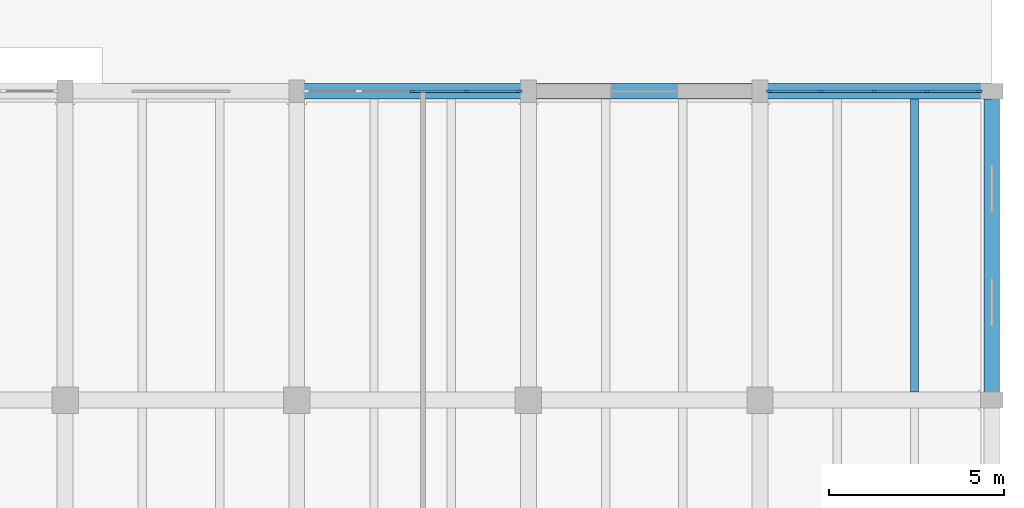
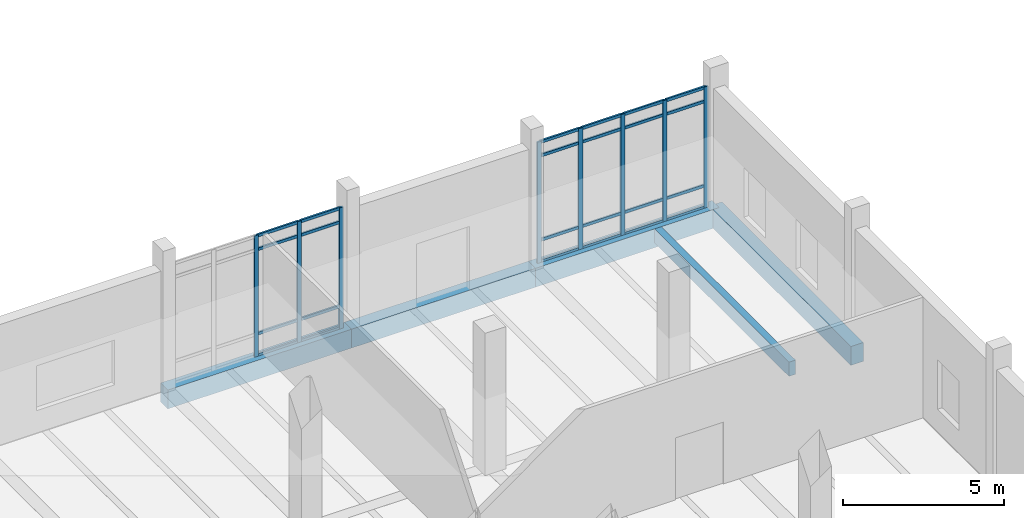
# One storey, part 26 of 72: 32 members, 5 beams, 2 elements without a shape of their own.
"""IFC4 building model written with IfcOpenShell, lengths in metres."""

from ifc_helpers import new_model, si_unit, direction, frame, origin, origin_2d, place, context, subcontext, project, spatial, rectangle, extrude, material, material_profile, profile_set, type_object, element, aggregate, save


model = new_model("IFC4")

# Units and contexts
model_context = context("Model", 3, precision=1e-05, world=origin(), true_north=direction((0.0, 1.0)))
body_context = subcontext(model_context, "Body", "Model", "MODEL_VIEW")
ifc_project = project(units=[si_unit("LENGTHUNIT", "METRE"), si_unit("AREAUNIT", "SQUARE_METRE"), si_unit("VOLUMEUNIT", "CUBIC_METRE"), si_unit("PLANEANGLEUNIT", "RADIAN"), si_unit("MASSUNIT", "GRAM", prefix="KILO")], contexts=[model_context])

# Site, building, storey
site_placement = place(None, origin())
site = spatial("IfcSite", under=ifc_project, at=site_placement, CompositionType="ELEMENT")
building_placement = place(site_placement, origin())
building = spatial("IfcBuilding", under=site, at=building_placement, Name="Dornvale Research Institute", CompositionType="ELEMENT")
storey_placement = place(building_placement, origin())
storey = spatial("IfcBuildingStorey", under=building, at=storey_placement, Name="L00", CompositionType="ELEMENT", Elevation=0.0)

# Beams
ifc_material_1 = material(Name="Concrete f'c 45 MPa (C35/45)", Category="concrete")
ifc_material_profile_1 = material_profile(ifc_material_1, rectangle(XDim=0.449951171875, YDim=0.715087890625, at=origin_2d()), Name="RC 450x715")
ifc_profile_set_1 = profile_set([ifc_material_profile_1], Name="Concrete f'c 45 MPa (C35/45)")
beam_type_1 = type_object("IfcBeamType", Name="Beam_RC450x715_Lab", PredefinedType="BEAM", material=ifc_profile_set_1)
for number, where, z_axis, x_axis, name in (
    (1, (158.39990234375, 26.39990234375, -0.357421875), (1.0, 0.0, 0.0), (0.0, 1.0, 0.0), "L00 primary girder #176"),
    (2, (165.0, 26.39990234375, -0.357421875), (1.0, 0.0, 0.0), (0.0, 1.0, 0.0), "L00 primary girder #177"),
):
    element("IfcBeam", number, at=place(storey_placement, frame(where, z_axis=z_axis, x_axis=x_axis)), inside=storey, type_object=beam_type_1, Name=name, PredefinedType="BEAM", context=body_context, shape_type="SweptSolid", body=[
        extrude(rectangle(XDim=0.449951171875, YDim=0.715087890625, at=origin_2d()), origin(), (0.0, 0.0, 1.0), 6.60009765625),
    ])
beam_1_placement = place(storey_placement, frame((171.60009765625, 26.39990234375, -0.357421875), z_axis=(1.0, 0.0, 0.0), x_axis=(0.0, 1.0, 0.0)))
element("IfcBeam", 3, at=beam_1_placement, inside=storey, type_object=beam_type_1, Name="L00 primary girder #178", PredefinedType="BEAM", context=body_context, shape_type="SweptSolid", body=[
    extrude(rectangle(XDim=0.449951171875, YDim=0.715087890625, at=origin_2d()), origin(), (0.0, 0.0, 1.0), 6.599853515625),
])
beam_2_placement = place(storey_placement, frame((178.199951171875, 17.60009765625, -0.357421875), z_axis=(0.0, 1.0, 0.0), x_axis=(-1.0, 0.0, 0.0)))
element("IfcBeam", 4, at=beam_2_placement, inside=storey, type_object=beam_type_1, Name="L00 transverse girder #215", PredefinedType="BEAM", context=body_context, shape_type="SweptSolid", body=[
    extrude(rectangle(XDim=0.449951171875, YDim=0.715087890625, at=origin_2d()), origin(), (0.0, 0.0, 1.0), 8.7998046875),
])
ifc_material_2 = material(Name="Concrete f'c 45 MPa (C35/45)", Category="concrete")
ifc_material_profile_2 = material_profile(ifc_material_2, rectangle(XDim=0.239990234375, YDim=0.534912109375, at=origin_2d()), Name="RC 240x535")
ifc_profile_set_2 = profile_set([ifc_material_profile_2], Name="Concrete f'c 45 MPa (C35/45)")
beam_type_2 = type_object("IfcBeamType", Name="Joist_RC240x535_Waffle", PredefinedType="JOIST", material=ifc_profile_set_2)
beam_3_placement = place(storey_placement, frame((176.0, 17.824951171875, -0.267578125), z_axis=(0.0, 1.0, 0.0), x_axis=(-1.0, 0.0, 0.0)))
element("IfcBeam", 5, at=beam_3_placement, inside=storey, type_object=beam_type_2, Name="L00 laboratory waffle joist #138", PredefinedType="JOIST", context=body_context, shape_type="SweptSolid", body=[
    extrude(rectangle(XDim=0.239990234375, YDim=0.534912109375, at=origin_2d()), origin(), (0.0, 0.0, 1.0), 8.35009765625),
])

# Curtain wall, members
ifc_material_3 = material(Name="Low-E Argon Double Insulating Glazing Unit", Category="glass")
curtain_wall_type_1 = type_object("IfcCurtainWallType", Name="UnitisedCurtainWall_V3_6150x4600", PredefinedType="USERDEFINED", material=ifc_material_3)
curtain_wall_1_placement = place(storey_placement, origin())
curtain_wall_1 = element("IfcCurtainWall", 6, at=curtain_wall_1_placement, inside=storey, type_object=curtain_wall_type_1, Name="L00 V3 unitised curtain wall CW-04 #23", ObjectType="UNITISED CURTAIN WALL", PredefinedType="USERDEFINED")
ifc_material_4 = material(Name="Anodized Aluminum AA 6063-T6 Thermally Broken Frame", Category="aluminium")
ifc_material_profile_3 = material_profile(ifc_material_4, rectangle(XDim=0.06494140625, YDim=0.14990234375, at=origin_2d()), Name="ALU MULLION 65x150")
ifc_profile_set_3 = profile_set([ifc_material_profile_3], Name="Anodized Aluminum AA 6063-T6 Thermally Broken Frame")
member_type_1 = type_object("IfcMemberType", Name="Mullion_CW_65x150", PredefinedType="MULLION", material=ifc_profile_set_3)
member_1_placement = place(storey_placement, frame((161.699951171875, 26.39990234375, 0.0), z_axis=(0.0, 0.0, 1.0), x_axis=(0.0, 1.0, 0.0)))
member_1 = element("IfcMember", 7, at=member_1_placement, type_object=member_type_1, Name="CW-04 mullion 3", PredefinedType="MULLION", context=body_context, shape_type="SweptSolid", body=[
    extrude(rectangle(XDim=0.06494140625, YDim=0.14990234375, at=origin_2d()), origin(), (0.0, 0.0, 1.0), 4.60009765625),
])
member_2_placement = place(storey_placement, frame((163.237548828125, 26.39990234375, 0.0), z_axis=(0.0, 0.0, 1.0), x_axis=(0.0, 1.0, 0.0)))
member_2 = element("IfcMember", 8, at=member_2_placement, type_object=member_type_1, Name="CW-04 mullion 4", PredefinedType="MULLION", context=body_context, shape_type="SweptSolid", body=[
    extrude(rectangle(XDim=0.06494140625, YDim=0.14990234375, at=origin_2d()), origin(), (0.0, 0.0, 1.0), 4.60009765625),
])
member_3_placement = place(storey_placement, frame((164.742431640625, 26.39990234375, 0.0), z_axis=(0.0, 0.0, 1.0), x_axis=(0.0, 1.0, 0.0)))
member_3 = element("IfcMember", 9, at=member_3_placement, type_object=member_type_1, Name="CW-04 mullion 5", PredefinedType="MULLION", context=body_context, shape_type="SweptSolid", body=[
    extrude(rectangle(XDim=0.06494140625, YDim=0.14990234375, at=origin_2d()), origin(), (0.0, 0.0, 1.0), 4.60009765625),
])

ifc_material_5 = material(Name="Low-E Argon Double Insulating Glazing Unit", Category="glass")
curtain_wall_type_2 = type_object("IfcCurtainWallType", Name="UnitisedCurtainWall_V3_6050x4600", PredefinedType="USERDEFINED", material=ifc_material_5)
curtain_wall_2_placement = place(storey_placement, origin())
curtain_wall_2 = element("IfcCurtainWall", 10, at=curtain_wall_2_placement, inside=storey, type_object=curtain_wall_type_2, Name="L00 V3 unitised curtain wall CW-05 #24", ObjectType="UNITISED CURTAIN WALL", PredefinedType="USERDEFINED")
member_4_placement = place(storey_placement, frame((171.857421875, 26.39990234375, 0.0), z_axis=(0.0, 0.0, 1.0), x_axis=(0.0, 1.0, 0.0)))
member_4 = element("IfcMember", 11, at=member_4_placement, type_object=member_type_1, Name="CW-05 mullion 1", PredefinedType="MULLION", context=body_context, shape_type="SweptSolid", body=[
    extrude(rectangle(XDim=0.06494140625, YDim=0.14990234375, at=origin_2d()), origin(), (0.0, 0.0, 1.0), 4.60009765625),
])
member_5_placement = place(storey_placement, frame((173.33740234375, 26.39990234375, 0.0), z_axis=(0.0, 0.0, 1.0), x_axis=(0.0, 1.0, 0.0)))
member_5 = element("IfcMember", 12, at=member_5_placement, type_object=member_type_1, Name="CW-05 mullion 2", PredefinedType="MULLION", context=body_context, shape_type="SweptSolid", body=[
    extrude(rectangle(XDim=0.06494140625, YDim=0.14990234375, at=origin_2d()), origin(), (0.0, 0.0, 1.0), 4.60009765625),
])
member_6_placement = place(storey_placement, frame((174.85009765625, 26.39990234375, 0.0), z_axis=(0.0, 0.0, 1.0), x_axis=(0.0, 1.0, 0.0)))
member_6 = element("IfcMember", 13, at=member_6_placement, type_object=member_type_1, Name="CW-05 mullion 3", PredefinedType="MULLION", context=body_context, shape_type="SweptSolid", body=[
    extrude(rectangle(XDim=0.06494140625, YDim=0.14990234375, at=origin_2d()), origin(), (0.0, 0.0, 1.0), 4.60009765625),
])
member_7_placement = place(storey_placement, frame((176.362548828125, 26.39990234375, 0.0), z_axis=(0.0, 0.0, 1.0), x_axis=(0.0, 1.0, 0.0)))
member_7 = element("IfcMember", 14, at=member_7_placement, type_object=member_type_1, Name="CW-05 mullion 4", PredefinedType="MULLION", context=body_context, shape_type="SweptSolid", body=[
    extrude(rectangle(XDim=0.06494140625, YDim=0.14990234375, at=origin_2d()), origin(), (0.0, 0.0, 1.0), 4.60009765625),
])
member_8_placement = place(storey_placement, frame((177.842529296875, 26.39990234375, 0.0), z_axis=(0.0, 0.0, 1.0), x_axis=(0.0, 1.0, 0.0)))
member_8 = element("IfcMember", 15, at=member_8_placement, type_object=member_type_1, Name="CW-05 mullion 5", PredefinedType="MULLION", context=body_context, shape_type="SweptSolid", body=[
    extrude(rectangle(XDim=0.06494140625, YDim=0.14990234375, at=origin_2d()), origin(), (0.0, 0.0, 1.0), 4.60009765625),
])

# Member
ifc_material_6 = material(Name="Anodized Aluminum AA 6063-T6 Thermally Broken Frame", Category="aluminium")
ifc_material_profile_4 = material_profile(ifc_material_6, rectangle(XDim=0.06494140625, YDim=0.110107421875, at=origin_2d()), Name="ALU TRANSOM 65x110")
ifc_profile_set_4 = profile_set([ifc_material_profile_4], Name="Anodized Aluminum AA 6063-T6 Thermally Broken Frame")
member_type_2 = type_object("IfcMemberType", Name="Transom_CW_65x110", PredefinedType="USERDEFINED", material=ifc_profile_set_4)
member_9_placement = place(storey_placement, frame((161.732421875, 26.39990234375, 0.032470703125), z_axis=(1.0, 0.0, 0.0), x_axis=(0.0, 1.0, 0.0)))
member_9 = element("IfcMember", 16, at=member_9_placement, type_object=member_type_2, Name="CW-04 transom 3.1", ObjectType="TRANSOM", PredefinedType="USERDEFINED", context=body_context, shape_type="SweptSolid", body=[
    extrude(rectangle(XDim=0.06494140625, YDim=0.110107421875, at=origin_2d()), origin(), (0.0, 0.0, 1.0), 1.47265625),
])

member_10_placement = place(storey_placement, frame((161.732421875, 26.39990234375, 0.85009765625), z_axis=(1.0, 0.0, 0.0), x_axis=(0.0, 1.0, 0.0)))
member_10 = element("IfcMember", 17, at=member_10_placement, type_object=member_type_2, Name="CW-04 transom 3.2", ObjectType="TRANSOM", PredefinedType="USERDEFINED", context=body_context, shape_type="SweptSolid", body=[
    extrude(rectangle(XDim=0.06494140625, YDim=0.110107421875, at=origin_2d()), origin(), (0.0, 0.0, 1.0), 1.47265625),
])

member_11_placement = place(storey_placement, frame((161.732421875, 26.39990234375, 4.050048828125), z_axis=(1.0, 0.0, 0.0), x_axis=(0.0, 1.0, 0.0)))
member_11 = element("IfcMember", 18, at=member_11_placement, type_object=member_type_2, Name="CW-04 transom 3.3", ObjectType="TRANSOM", PredefinedType="USERDEFINED", context=body_context, shape_type="SweptSolid", body=[
    extrude(rectangle(XDim=0.06494140625, YDim=0.110107421875, at=origin_2d()), origin(), (0.0, 0.0, 1.0), 1.47265625),
])

member_12_placement = place(storey_placement, frame((161.732421875, 26.39990234375, 4.5673828125), z_axis=(1.0, 0.0, 0.0), x_axis=(0.0, 1.0, 0.0)))
member_12 = element("IfcMember", 19, at=member_12_placement, type_object=member_type_2, Name="CW-04 transom 3.4", ObjectType="TRANSOM", PredefinedType="USERDEFINED", context=body_context, shape_type="SweptSolid", body=[
    extrude(rectangle(XDim=0.06494140625, YDim=0.110107421875, at=origin_2d()), origin(), (0.0, 0.0, 1.0), 1.47265625),
])

member_13_placement = place(storey_placement, frame((163.27001953125, 26.39990234375, 0.032470703125), z_axis=(1.0, 0.0, 0.0), x_axis=(0.0, 1.0, 0.0)))
member_13 = element("IfcMember", 20, at=member_13_placement, type_object=member_type_2, Name="CW-04 transom 4.1", ObjectType="TRANSOM", PredefinedType="USERDEFINED", context=body_context, shape_type="SweptSolid", body=[
    extrude(rectangle(XDim=0.06494140625, YDim=0.110107421875, at=origin_2d()), origin(), (0.0, 0.0, 1.0), 1.43994140625),
])

member_14_placement = place(storey_placement, frame((163.27001953125, 26.39990234375, 0.85009765625), z_axis=(1.0, 0.0, 0.0), x_axis=(0.0, 1.0, 0.0)))
member_14 = element("IfcMember", 21, at=member_14_placement, type_object=member_type_2, Name="CW-04 transom 4.2", ObjectType="TRANSOM", PredefinedType="USERDEFINED", context=body_context, shape_type="SweptSolid", body=[
    extrude(rectangle(XDim=0.06494140625, YDim=0.110107421875, at=origin_2d()), origin(), (0.0, 0.0, 1.0), 1.43994140625),
])

member_15_placement = place(storey_placement, frame((163.27001953125, 26.39990234375, 4.050048828125), z_axis=(1.0, 0.0, 0.0), x_axis=(0.0, 1.0, 0.0)))
member_15 = element("IfcMember", 22, at=member_15_placement, type_object=member_type_2, Name="CW-04 transom 4.3", ObjectType="TRANSOM", PredefinedType="USERDEFINED", context=body_context, shape_type="SweptSolid", body=[
    extrude(rectangle(XDim=0.06494140625, YDim=0.110107421875, at=origin_2d()), origin(), (0.0, 0.0, 1.0), 1.43994140625),
])

member_16_placement = place(storey_placement, frame((163.27001953125, 26.39990234375, 4.5673828125), z_axis=(1.0, 0.0, 0.0), x_axis=(0.0, 1.0, 0.0)))
member_16 = element("IfcMember", 23, at=member_16_placement, type_object=member_type_2, Name="CW-04 transom 4.4", ObjectType="TRANSOM", PredefinedType="USERDEFINED", context=body_context, shape_type="SweptSolid", body=[
    extrude(rectangle(XDim=0.06494140625, YDim=0.110107421875, at=origin_2d()), origin(), (0.0, 0.0, 1.0), 1.43994140625),
])

aggregate(curtain_wall_1, [member_1, member_2, member_3, member_9, member_10, member_11, member_12, member_13, member_14, member_15, member_16])

member_17_placement = place(storey_placement, frame((171.889892578125, 26.39990234375, 0.032470703125), z_axis=(1.0, 0.0, 0.0), x_axis=(0.0, 1.0, 0.0)))
member_17 = element("IfcMember", 24, at=member_17_placement, type_object=member_type_2, Name="CW-05 transom 1.1", ObjectType="TRANSOM", PredefinedType="USERDEFINED", context=body_context, shape_type="SweptSolid", body=[
    extrude(rectangle(XDim=0.06494140625, YDim=0.110107421875, at=origin_2d()), origin(), (0.0, 0.0, 1.0), 1.4150390625),
])

member_18_placement = place(storey_placement, frame((171.889892578125, 26.39990234375, 0.85009765625), z_axis=(1.0, 0.0, 0.0), x_axis=(0.0, 1.0, 0.0)))
member_18 = element("IfcMember", 25, at=member_18_placement, type_object=member_type_2, Name="CW-05 transom 1.2", ObjectType="TRANSOM", PredefinedType="USERDEFINED", context=body_context, shape_type="SweptSolid", body=[
    extrude(rectangle(XDim=0.06494140625, YDim=0.110107421875, at=origin_2d()), origin(), (0.0, 0.0, 1.0), 1.4150390625),
])

member_19_placement = place(storey_placement, frame((171.889892578125, 26.39990234375, 4.050048828125), z_axis=(1.0, 0.0, 0.0), x_axis=(0.0, 1.0, 0.0)))
member_19 = element("IfcMember", 26, at=member_19_placement, type_object=member_type_2, Name="CW-05 transom 1.3", ObjectType="TRANSOM", PredefinedType="USERDEFINED", context=body_context, shape_type="SweptSolid", body=[
    extrude(rectangle(XDim=0.06494140625, YDim=0.110107421875, at=origin_2d()), origin(), (0.0, 0.0, 1.0), 1.4150390625),
])

member_20_placement = place(storey_placement, frame((171.889892578125, 26.39990234375, 4.5673828125), z_axis=(1.0, 0.0, 0.0), x_axis=(0.0, 1.0, 0.0)))
member_20 = element("IfcMember", 27, at=member_20_placement, type_object=member_type_2, Name="CW-05 transom 1.4", ObjectType="TRANSOM", PredefinedType="USERDEFINED", context=body_context, shape_type="SweptSolid", body=[
    extrude(rectangle(XDim=0.06494140625, YDim=0.110107421875, at=origin_2d()), origin(), (0.0, 0.0, 1.0), 1.4150390625),
])

member_21_placement = place(storey_placement, frame((173.3701171875, 26.39990234375, 0.032470703125), z_axis=(1.0, 0.0, 0.0), x_axis=(0.0, 1.0, 0.0)))
member_21 = element("IfcMember", 28, at=member_21_placement, type_object=member_type_2, Name="CW-05 transom 2.1", ObjectType="TRANSOM", PredefinedType="USERDEFINED", context=body_context, shape_type="SweptSolid", body=[
    extrude(rectangle(XDim=0.06494140625, YDim=0.110107421875, at=origin_2d()), origin(), (0.0, 0.0, 1.0), 1.447265625),
])

member_22_placement = place(storey_placement, frame((173.3701171875, 26.39990234375, 0.85009765625), z_axis=(1.0, 0.0, 0.0), x_axis=(0.0, 1.0, 0.0)))
member_22 = element("IfcMember", 29, at=member_22_placement, type_object=member_type_2, Name="CW-05 transom 2.2", ObjectType="TRANSOM", PredefinedType="USERDEFINED", context=body_context, shape_type="SweptSolid", body=[
    extrude(rectangle(XDim=0.06494140625, YDim=0.110107421875, at=origin_2d()), origin(), (0.0, 0.0, 1.0), 1.447265625),
])

member_23_placement = place(storey_placement, frame((173.3701171875, 26.39990234375, 4.050048828125), z_axis=(1.0, 0.0, 0.0), x_axis=(0.0, 1.0, 0.0)))
member_23 = element("IfcMember", 30, at=member_23_placement, type_object=member_type_2, Name="CW-05 transom 2.3", ObjectType="TRANSOM", PredefinedType="USERDEFINED", context=body_context, shape_type="SweptSolid", body=[
    extrude(rectangle(XDim=0.06494140625, YDim=0.110107421875, at=origin_2d()), origin(), (0.0, 0.0, 1.0), 1.447265625),
])

member_24_placement = place(storey_placement, frame((173.3701171875, 26.39990234375, 4.5673828125), z_axis=(1.0, 0.0, 0.0), x_axis=(0.0, 1.0, 0.0)))
member_24 = element("IfcMember", 31, at=member_24_placement, type_object=member_type_2, Name="CW-05 transom 2.4", ObjectType="TRANSOM", PredefinedType="USERDEFINED", context=body_context, shape_type="SweptSolid", body=[
    extrude(rectangle(XDim=0.06494140625, YDim=0.110107421875, at=origin_2d()), origin(), (0.0, 0.0, 1.0), 1.447265625),
])

member_25_placement = place(storey_placement, frame((174.882568359375, 26.39990234375, 0.032470703125), z_axis=(1.0, 0.0, 0.0), x_axis=(0.0, 1.0, 0.0)))
member_25 = element("IfcMember", 32, at=member_25_placement, type_object=member_type_2, Name="CW-05 transom 3.1", ObjectType="TRANSOM", PredefinedType="USERDEFINED", context=body_context, shape_type="SweptSolid", body=[
    extrude(rectangle(XDim=0.06494140625, YDim=0.110107421875, at=origin_2d()), origin(), (0.0, 0.0, 1.0), 1.447509765625),
])

member_26_placement = place(storey_placement, frame((174.882568359375, 26.39990234375, 0.85009765625), z_axis=(1.0, 0.0, 0.0), x_axis=(0.0, 1.0, 0.0)))
member_26 = element("IfcMember", 33, at=member_26_placement, type_object=member_type_2, Name="CW-05 transom 3.2", ObjectType="TRANSOM", PredefinedType="USERDEFINED", context=body_context, shape_type="SweptSolid", body=[
    extrude(rectangle(XDim=0.06494140625, YDim=0.110107421875, at=origin_2d()), origin(), (0.0, 0.0, 1.0), 1.447509765625),
])

member_27_placement = place(storey_placement, frame((174.882568359375, 26.39990234375, 4.050048828125), z_axis=(1.0, 0.0, 0.0), x_axis=(0.0, 1.0, 0.0)))
member_27 = element("IfcMember", 34, at=member_27_placement, type_object=member_type_2, Name="CW-05 transom 3.3", ObjectType="TRANSOM", PredefinedType="USERDEFINED", context=body_context, shape_type="SweptSolid", body=[
    extrude(rectangle(XDim=0.06494140625, YDim=0.110107421875, at=origin_2d()), origin(), (0.0, 0.0, 1.0), 1.447509765625),
])

member_28_placement = place(storey_placement, frame((174.882568359375, 26.39990234375, 4.5673828125), z_axis=(1.0, 0.0, 0.0), x_axis=(0.0, 1.0, 0.0)))
member_28 = element("IfcMember", 35, at=member_28_placement, type_object=member_type_2, Name="CW-05 transom 3.4", ObjectType="TRANSOM", PredefinedType="USERDEFINED", context=body_context, shape_type="SweptSolid", body=[
    extrude(rectangle(XDim=0.06494140625, YDim=0.110107421875, at=origin_2d()), origin(), (0.0, 0.0, 1.0), 1.447509765625),
])

member_29_placement = place(storey_placement, frame((176.39501953125, 26.39990234375, 0.032470703125), z_axis=(1.0, 0.0, 0.0), x_axis=(0.0, 1.0, 0.0)))
member_29 = element("IfcMember", 36, at=member_29_placement, type_object=member_type_2, Name="CW-05 transom 4.1", ObjectType="TRANSOM", PredefinedType="USERDEFINED", context=body_context, shape_type="SweptSolid", body=[
    extrude(rectangle(XDim=0.06494140625, YDim=0.110107421875, at=origin_2d()), origin(), (0.0, 0.0, 1.0), 1.4150390625),
])

member_30_placement = place(storey_placement, frame((176.39501953125, 26.39990234375, 0.85009765625), z_axis=(1.0, 0.0, 0.0), x_axis=(0.0, 1.0, 0.0)))
member_30 = element("IfcMember", 37, at=member_30_placement, type_object=member_type_2, Name="CW-05 transom 4.2", ObjectType="TRANSOM", PredefinedType="USERDEFINED", context=body_context, shape_type="SweptSolid", body=[
    extrude(rectangle(XDim=0.06494140625, YDim=0.110107421875, at=origin_2d()), origin(), (0.0, 0.0, 1.0), 1.4150390625),
])

member_31_placement = place(storey_placement, frame((176.39501953125, 26.39990234375, 4.050048828125), z_axis=(1.0, 0.0, 0.0), x_axis=(0.0, 1.0, 0.0)))
member_31 = element("IfcMember", 38, at=member_31_placement, type_object=member_type_2, Name="CW-05 transom 4.3", ObjectType="TRANSOM", PredefinedType="USERDEFINED", context=body_context, shape_type="SweptSolid", body=[
    extrude(rectangle(XDim=0.06494140625, YDim=0.110107421875, at=origin_2d()), origin(), (0.0, 0.0, 1.0), 1.4150390625),
])

member_32_placement = place(storey_placement, frame((176.39501953125, 26.39990234375, 4.5673828125), z_axis=(1.0, 0.0, 0.0), x_axis=(0.0, 1.0, 0.0)))
member_32 = element("IfcMember", 39, at=member_32_placement, type_object=member_type_2, Name="CW-05 transom 4.4", ObjectType="TRANSOM", PredefinedType="USERDEFINED", context=body_context, shape_type="SweptSolid", body=[
    extrude(rectangle(XDim=0.06494140625, YDim=0.110107421875, at=origin_2d()), origin(), (0.0, 0.0, 1.0), 1.4150390625),
])

aggregate(curtain_wall_2, [member_4, member_5, member_6, member_7, member_8, member_17, member_18, member_19, member_20, member_21, member_22, member_23, member_24, member_25, member_26, member_27, member_28, member_29, member_30, member_31, member_32])

save(model, "model.ifc")
